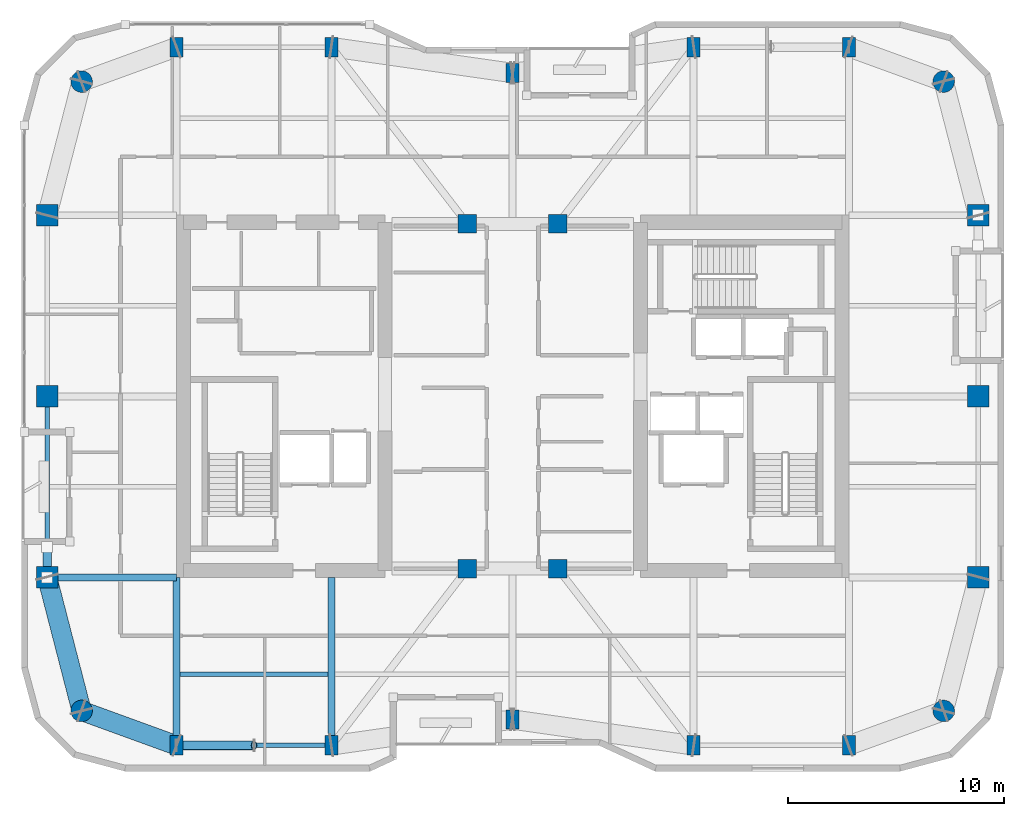
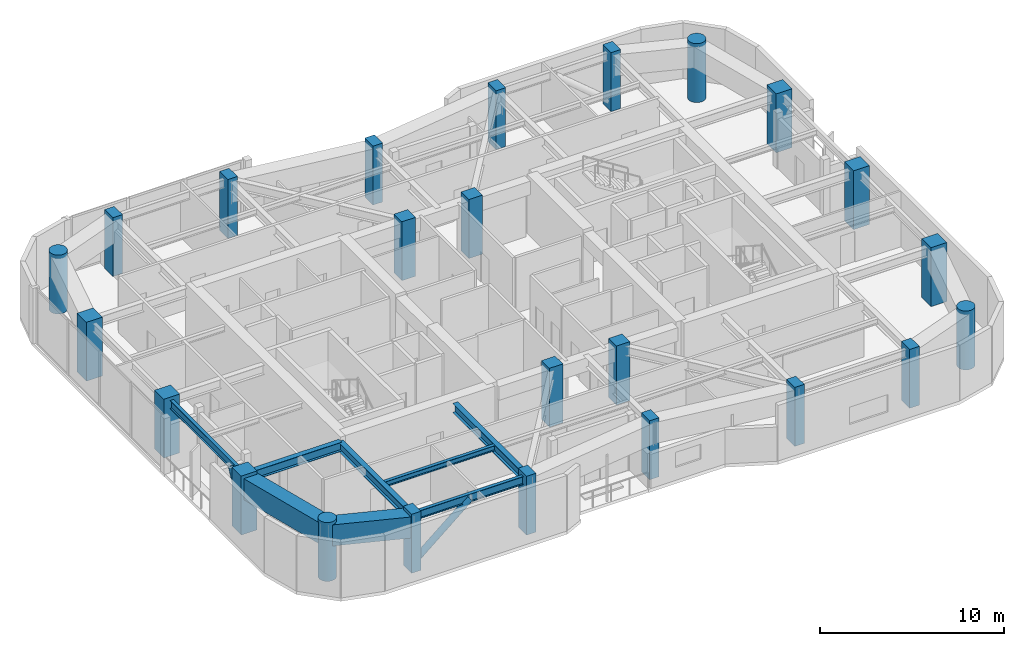
# One storey, part 1 of 15: 24 columns, 8 beams, 2 members.
"""IFC4 building model written with IfcOpenShell, lengths in metres."""

from ifc_helpers import new_model, si_unit, direction, frame, origin, origin_2d, place, context, subcontext, project, spatial, rectangle, hollow_rectangle, circle, hollow_circle, i_section, extrude, material, material_profile, profile_set, type_object, element, save


model = new_model("IFC4")

# Units and contexts
model_context = context("Model", 3, precision=1e-05, world=origin(), true_north=direction((0.0, 1.0)))
body_context = subcontext(model_context, "Body", "Model", "MODEL_VIEW")
ifc_project = project(units=[si_unit("LENGTHUNIT", "METRE"), si_unit("AREAUNIT", "SQUARE_METRE"), si_unit("VOLUMEUNIT", "CUBIC_METRE"), si_unit("PLANEANGLEUNIT", "RADIAN"), si_unit("MASSUNIT", "GRAM", prefix="KILO")], contexts=[model_context])

# Site, building, storey
site_placement = place(None, origin())
site = spatial("IfcSite", under=ifc_project, at=site_placement, CompositionType="ELEMENT")
building_placement = place(site_placement, origin())
building = spatial("IfcBuilding", under=site, at=building_placement, Name="Kiyonajd Concourse Tower", CompositionType="ELEMENT")
storey_placement = place(building_placement, frame((0.0, 0.0, 258.89990234375)))
storey = spatial("IfcBuildingStorey", under=building, at=storey_placement, Name="L65", CompositionType="ELEMENT", Elevation=258.89990234375)

# Columns
ifc_material_1 = material(Name="Concrete C60/75", Category="concrete")
ifc_material_profile_1 = material_profile(ifc_material_1, rectangle(XDim=0.60009765625, YDim=0.89990234375, at=origin_2d()), Name="RC-900x600")
ifc_profile_set_1 = profile_set([ifc_material_profile_1], Name="Concrete C60/75")
column_type_1 = type_object("IfcColumnType", Name="CL-BLADE-900", PredefinedType="COLUMN", material=ifc_profile_set_1)
for number, where, z_axis, x_axis, name in (
    (1, (32.39990234375, 19.800048828125, 0.0), (0.0, 0.0, 1.0), (1.0, 0.0, 0.0), "L65 Perimeter Bundled Tube Column"),
    (2, (32.39990234375, 52.199951171875, 0.0), (0.0, 0.0, 1.0), (1.0, 0.0, 0.0), "L65 Perimeter Bundled Tube Column"),
    (3, (39.60009765625, 19.800048828125, 0.0), (0.0, 0.0, 1.0), (1.0, 0.0, 0.0), "L65 Perimeter Bundled Tube Column"),
    (4, (39.60009765625, 52.199951171875, 0.0), (0.0, 0.0, 1.0), (1.0, 0.0, 0.0), "L65 Perimeter Bundled Tube Column"),
    (5, (48.0, 21.0, 0.0), (0.0, 0.0, 1.0), (1.0, 0.0, 0.0), "L65 Perimeter Bundled Tube Column"),
    (6, (48.0, 51.0, 0.0), (0.0, 0.0, 1.0), (1.0, 0.0, 0.0), "L65 Perimeter Bundled Tube Column"),
    (7, (56.39990234375, 19.800048828125, 0.0), (0.0, 0.0, 1.0), (1.0, 0.0, 0.0), "L65 Perimeter Bundled Tube Column"),
    (8, (56.39990234375, 52.199951171875, 0.0), (0.0, 0.0, 1.0), (1.0, 0.0, 0.0), "L65 Perimeter Bundled Tube Column"),
    (9, (63.60009765625, 19.800048828125, 0.0), (0.0, 0.0, 1.0), (1.0, 0.0, 0.0), "L65 Perimeter Bundled Tube Column"),
    (10, (63.60009765625, 52.199951171875, 0.0), (0.0, 0.0, 1.0), (1.0, 0.0, 0.0), "L65 Perimeter Bundled Tube Column"),
):
    element("IfcColumn", number, at=place(storey_placement, frame(where, z_axis=z_axis, x_axis=x_axis)), inside=storey, type_object=column_type_1, Name=name, PredefinedType="COLUMN", context=body_context, shape_type="SweptSolid", body=[
        extrude(rectangle(XDim=0.60009765625, YDim=0.89990234375, at=origin_2d()), origin(), (0.0, 0.0, 1.0), 3.900146484375),
    ])
ifc_material_profile_2 = material_profile(ifc_material_1, circle(Radius=0.5, at=origin_2d()), Name="RCC-D1000")
ifc_profile_set_2 = profile_set([ifc_material_profile_2], Name="Concrete C60/75")
column_type_2 = type_object("IfcColumnType", Name="CL-RND-1000", PredefinedType="COLUMN", material=ifc_profile_set_2)
for number, where, z_axis, x_axis, name in (
    (11, (28.0, 21.39990234375, 0.0), (0.0, 0.0, 1.0), (1.0, 0.0, 0.0), "L65 Bundled Tube Corner Column South West"),
    (12, (68.0, 21.39990234375, 0.0), (0.0, 0.0, 1.0), (1.0, 0.0, 0.0), "L65 Bundled Tube Corner Column South East"),
    (13, (68.0, 50.60009765625, 0.0), (0.0, 0.0, 1.0), (1.0, 0.0, 0.0), "L65 Bundled Tube Corner Column North East"),
    (14, (28.0, 50.60009765625, 0.0), (0.0, 0.0, 1.0), (1.0, 0.0, 0.0), "L65 Bundled Tube Corner Column North West"),
):
    element("IfcColumn", number, at=place(storey_placement, frame(where, z_axis=z_axis, x_axis=x_axis)), inside=storey, type_object=column_type_2, Name=name, PredefinedType="COLUMN", context=body_context, shape_type="SweptSolid", body=[
        extrude(circle(Radius=0.5, at=origin_2d()), origin(), (0.0, 0.0, 1.0), 3.900146484375),
    ])
ifc_material_profile_3 = material_profile(ifc_material_1, rectangle(XDim=1.0, YDim=1.0, at=origin_2d()), Name="RC-1000x1000")
ifc_profile_set_3 = profile_set([ifc_material_profile_3], Name="Concrete C60/75")
column_type_3 = type_object("IfcColumnType", Name="CL-TUBE-1000", PredefinedType="COLUMN", material=ifc_profile_set_3)
for number, where, z_axis, x_axis, name in (
    (15, (26.39990234375, 27.60009765625, 0.0), (0.0, 0.0, 1.0), (1.0, 0.0, 0.0), "L65 Perimeter Bundled Tube Column"),
    (16, (69.60009765625, 27.60009765625, 0.0), (0.0, 0.0, 1.0), (1.0, 0.0, 0.0), "L65 Perimeter Bundled Tube Column"),
    (17, (26.39990234375, 36.0, 0.0), (0.0, 0.0, 1.0), (1.0, 0.0, 0.0), "L65 Perimeter Bundled Tube Column"),
    (18, (69.60009765625, 36.0, 0.0), (0.0, 0.0, 1.0), (1.0, 0.0, 0.0), "L65 Perimeter Bundled Tube Column"),
    (19, (26.39990234375, 44.39990234375, 0.0), (0.0, 0.0, 1.0), (1.0, 0.0, 0.0), "L65 Perimeter Bundled Tube Column"),
    (20, (69.60009765625, 44.39990234375, 0.0), (0.0, 0.0, 1.0), (1.0, 0.0, 0.0), "L65 Perimeter Bundled Tube Column"),
):
    element("IfcColumn", number, at=place(storey_placement, frame(where, z_axis=z_axis, x_axis=x_axis)), inside=storey, type_object=column_type_3, Name=name, PredefinedType="COLUMN", context=body_context, shape_type="SweptSolid", body=[
        extrude(rectangle(XDim=1.0, YDim=1.0, at=origin_2d()), origin(), (0.0, 0.0, 1.0), 3.900146484375),
    ])
ifc_material_profile_4 = material_profile(ifc_material_1, rectangle(XDim=0.85009765625, YDim=0.85009765625, at=origin_2d()), Name="RC-850x850")
ifc_profile_set_4 = profile_set([ifc_material_profile_4], Name="Concrete C60/75")
column_type_4 = type_object("IfcColumnType", Name="CL-TUBE-850", PredefinedType="COLUMN", material=ifc_profile_set_4)
for number, where, z_axis, x_axis, name in (
    (21, (45.89990234375, 28.0, 0.0), (0.0, 0.0, 1.0), (1.0, 0.0, 0.0), "L65 Core Tie Column South West"),
    (22, (50.10009765625, 28.0, 0.0), (0.0, 0.0, 1.0), (1.0, 0.0, 0.0), "L65 Core Tie Column South East"),
    (23, (45.89990234375, 44.0, 0.0), (0.0, 0.0, 1.0), (1.0, 0.0, 0.0), "L65 Core Tie Column North West"),
    (24, (50.10009765625, 44.0, 0.0), (0.0, 0.0, 1.0), (1.0, 0.0, 0.0), "L65 Core Tie Column North East"),
):
    element("IfcColumn", number, at=place(storey_placement, frame(where, z_axis=z_axis, x_axis=x_axis)), inside=storey, type_object=column_type_4, Name=name, PredefinedType="COLUMN", context=body_context, shape_type="SweptSolid", body=[
        extrude(rectangle(XDim=0.85009765625, YDim=0.85009765625, at=origin_2d()), origin(), (0.0, 0.0, 1.0), 3.900146484375),
    ])

# Beams
ifc_material_2 = material(Name="Steel ASTM A992 Grade 50", Category="steel")
ifc_material_profile_5 = material_profile(ifc_material_2, i_section(OverallWidth=0.205078125, OverallDepth=0.35400390625, WebThickness=0.009521484375, FlangeThickness=0.016845703125, at=origin_2d()), Name="W360X79")
ifc_profile_set_5 = profile_set([ifc_material_profile_5], Name="Steel ASTM A992 Grade 50")
beam_type_1 = type_object("IfcBeamType", Name="BM-JST-360", PredefinedType="JOIST", material=ifc_profile_set_5)
beam_1_placement = place(storey_placement, frame((32.56201171875, 23.10009765625, 3.503173828125), z_axis=(1.0, 0.0, 0.0), x_axis=(0.0, 1.0, 0.0)))
element("IfcBeam", 25, at=beam_1_placement, inside=storey, type_object=beam_type_1, Name="L65 Secondary Floor Joist", PredefinedType="JOIST", context=body_context, shape_type="SweptSolid", body=[
    extrude(i_section(OverallWidth=0.205078125, OverallDepth=0.35400390625, WebThickness=0.009521484375, FlangeThickness=0.016845703125, at=origin_2d()), origin(), (0.0, 0.0, 1.0), 6.8759765625),
])
ifc_material_profile_6 = material_profile(ifc_material_2, i_section(OverallWidth=0.2109375, OverallDepth=0.5390625, WebThickness=0.01171875, FlangeThickness=0.018798828125, at=origin_2d()), Name="W530X109")
ifc_profile_set_6 = profile_set([ifc_material_profile_6], Name="Steel ASTM A992 Grade 50")
beam_type_2 = type_object("IfcBeamType", Name="BM-SPAN-530B", PredefinedType="SPANDREL", material=ifc_profile_set_6)
beam_2_placement = place(storey_placement, frame((32.39990234375, 19.800048828125, 3.41064453125), z_axis=(1.0, 0.0, 0.0), x_axis=(0.0, 1.0, 0.0)))
element("IfcBeam", 26, at=beam_2_placement, inside=storey, type_object=beam_type_2, Name="L65 Perimeter Bundled Tube Spandrel", PredefinedType="SPANDREL", context=body_context, shape_type="SweptSolid", body=[
    extrude(i_section(OverallWidth=0.2109375, OverallDepth=0.5390625, WebThickness=0.01171875, FlangeThickness=0.018798828125, at=origin_2d()), origin(), (0.0, 0.0, 1.0), 7.2001953125),
])
beam_3_placement = place(storey_placement, frame((26.39990234375, 36.0, 3.41064453125), z_axis=(0.0, -1.0, 0.0), x_axis=(1.0, 0.0, 0.0)))
element("IfcBeam", 27, at=beam_3_placement, inside=storey, type_object=beam_type_2, Name="L65 Perimeter Bundled Tube Spandrel", PredefinedType="SPANDREL", context=body_context, shape_type="SweptSolid", body=[
    extrude(i_section(OverallWidth=0.2109375, OverallDepth=0.5390625, WebThickness=0.01171875, FlangeThickness=0.018798828125, at=origin_2d()), origin(), (0.0, 0.0, 1.0), 8.39990234375),
])
ifc_material_profile_7 = material_profile(ifc_material_2, i_section(OverallWidth=0.323974609375, OverallDepth=0.611083984375, WebThickness=0.0126953125, FlangeThickness=0.01904296875, at=origin_2d()), Name="W610X155")
ifc_profile_set_7 = profile_set([ifc_material_profile_7], Name="Steel ASTM A992 Grade 50")
beam_type_3 = type_object("IfcBeamType", Name="BM-TWR-610B", PredefinedType="BEAM", material=ifc_profile_set_7)
for number, where, z_axis, x_axis, name in (
    (28, (32.39990234375, 19.800048828125, 3.37451171875), (0.0, 1.0, 0.0), (-1.0, 0.0, 0.0), "L65 South Lease Girder"),
    (29, (39.60009765625, 19.800048828125, 3.37451171875), (0.0, 1.0, 0.0), (-1.0, 0.0, 0.0), "L65 South Lease Girder"),
):
    element("IfcBeam", number, at=place(storey_placement, frame(where, z_axis=z_axis, x_axis=x_axis)), inside=storey, type_object=beam_type_3, Name=name, PredefinedType="BEAM", context=body_context, shape_type="SweptSolid", body=[
        extrude(i_section(OverallWidth=0.323974609375, OverallDepth=0.611083984375, WebThickness=0.0126953125, FlangeThickness=0.01904296875, at=origin_2d()), origin(), (0.0, 0.0, 1.0), 7.800048828125),
    ])
beam_4_placement = place(storey_placement, frame((26.39990234375, 27.60009765625, 3.37451171875), z_axis=(1.0, 0.0, 0.0), x_axis=(0.0, 1.0, 0.0)))
element("IfcBeam", 30, at=beam_4_placement, inside=storey, type_object=beam_type_3, Name="L65 West Lease Girder", PredefinedType="BEAM", context=body_context, shape_type="SweptSolid", body=[
    extrude(i_section(OverallWidth=0.323974609375, OverallDepth=0.611083984375, WebThickness=0.0126953125, FlangeThickness=0.01904296875, at=origin_2d()), origin(), (0.0, 0.0, 1.0), 6.0),
])
ifc_material_3 = material(Name="Steel ASTM A572 Grade 50", Category="steel")
ifc_material_profile_8 = material_profile(ifc_material_3, hollow_rectangle(XDim=0.89990234375, YDim=1.39990234375, WallThickness=0.070068359375, at=origin_2d()), Name="BOX-1400x900x70")
ifc_profile_set_8 = profile_set([ifc_material_profile_8], Name="Steel ASTM A572 Grade 50")
beam_type_4 = type_object("IfcBeamType", Name="BM-XFER-1400", PredefinedType="BEAM", material=ifc_profile_set_8)
beam_5_placement = place(storey_placement, frame((26.39990234375, 27.60009765625, 2.97998046875), z_axis=(0.249884937687, -0.968275538221, 0.0), x_axis=(0.968275538221, 0.249884937687, 0.0)))
element("IfcBeam", 31, at=beam_5_placement, inside=storey, type_object=beam_type_4, Name="L65 Perimeter Bundled Tube Spandrel", PredefinedType="BEAM", context=body_context, shape_type="SweptSolid", body=[
    extrude(hollow_rectangle(XDim=0.89990234375, YDim=1.39990234375, WallThickness=0.070068359375, at=origin_2d()), origin(), (0.0, 0.0, 1.0), 6.4033203125),
])
beam_6_placement = place(storey_placement, frame((28.0, 21.39990234375, 2.97998046875), z_axis=(0.939801036019, -0.341722127901, 0.0), x_axis=(0.341722127901, 0.939801036019, 0.0)))
element("IfcBeam", 32, at=beam_6_placement, inside=storey, type_object=beam_type_4, Name="L65 Perimeter Bundled Tube Spandrel", PredefinedType="BEAM", context=body_context, shape_type="SweptSolid", body=[
    extrude(hollow_rectangle(XDim=0.89990234375, YDim=1.39990234375, WallThickness=0.070068359375, at=origin_2d()), origin(), (0.0, 0.0, 1.0), 4.681640625),
])

# Members
ifc_material_4 = material(Name="Steel ASTM A500 Grade C", Category="steel")
ifc_material_profile_9 = material_profile(ifc_material_4, hollow_circle(Radius=0.202880859375, WallThickness=0.01904296875, at=origin_2d()), Name="CHS-406x19")
ifc_profile_set_9 = profile_set([ifc_material_profile_9], Name="Steel ASTM A500 Grade C")
member_type = type_object("IfcMemberType", Name="MB-PB-HIGH", PredefinedType="BRACE", material=ifc_profile_set_9)
member_1_placement = place(storey_placement, frame((32.39990234375, 19.800048828125, 0.300048828125), z_axis=(0.765082043761, 0.0, 0.643932811957), x_axis=(0.0, 1.0, 0.0)))
element("IfcMember", 33, at=member_1_placement, inside=storey, type_object=member_type, Name="L65 Upper Zone Hollow Tube Brace PBS", PredefinedType="BRACE", context=body_context, shape_type="SweptSolid", body=[
    extrude(hollow_circle(Radius=0.202880859375, WallThickness=0.01904296875, at=origin_2d()), origin(), (0.0, 0.0, 1.0), 4.70556640625),
])
member_2_placement = place(storey_placement, frame((26.39990234375, 27.60009765625, 0.300048828125), z_axis=(0.0, 0.419410666774, 0.907796614114), x_axis=(-1.0, 0.0, 0.0)))
element("IfcMember", 34, at=member_2_placement, inside=storey, type_object=member_type, Name="L65 Upper Zone Hollow Tube Brace PBW", PredefinedType="BRACE", context=body_context, shape_type="SweptSolid", body=[
    extrude(hollow_circle(Radius=0.202880859375, WallThickness=0.01904296875, at=origin_2d()), origin(), (0.0, 0.0, 1.0), 3.337890625),
])

save(model, "model.ifc")
